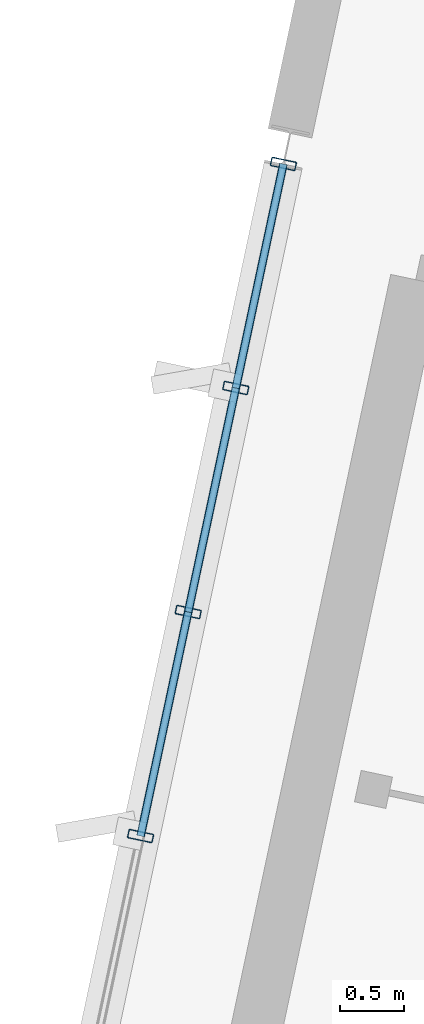
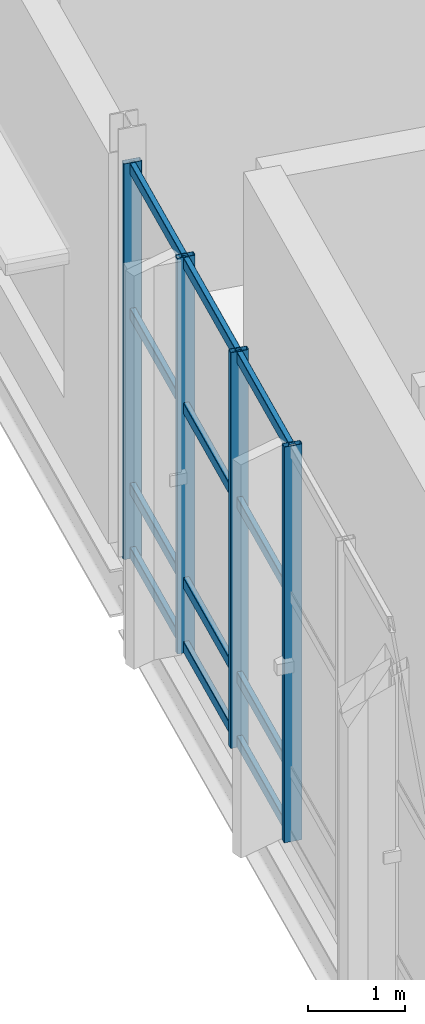
# One storey, part 23 of 176: 16 members, 1 element without a shape of its own.
"""IFC4 building model written with IfcOpenShell, lengths in metres."""

from ifc_helpers import new_model, si_unit, direction, frame, origin, origin_2d, place, context, subcontext, project, spatial, hollow_rectangle, extrude, material, layer, layer_set, material_profile, profile_set, type_object, element, aggregate, save


model = new_model("IFC4")

# Units and contexts
model_context = context("Model", 3, precision=1e-05, world=origin(), true_north=direction((0.0, 1.0)))
body_context = subcontext(model_context, "Body", "Model", "MODEL_VIEW")
ifc_project = project(units=[si_unit("LENGTHUNIT", "METRE"), si_unit("AREAUNIT", "SQUARE_METRE"), si_unit("VOLUMEUNIT", "CUBIC_METRE"), si_unit("PLANEANGLEUNIT", "RADIAN"), si_unit("MASSUNIT", "GRAM", prefix="KILO")], contexts=[model_context])

# Site, building, storey
site_placement = place(None, origin())
site = spatial("IfcSite", under=ifc_project, at=site_placement, CompositionType="ELEMENT")
building_placement = place(site_placement, origin())
building = spatial("IfcBuilding", under=site, at=building_placement, Name="Khorjan Park Terminus", CompositionType="ELEMENT")
storey_placement = place(building_placement, frame((0.0, 0.0, 6.0)))
storey = spatial("IfcBuildingStorey", under=building, at=storey_placement, Name="L01", CompositionType="ELEMENT", Elevation=6.0)

# Curtain wall, members
ifc_material = material(Name="Anodized Bronze Aluminium", Category="aluminium")
ifc_layer = layer(ifc_material, 0.22)
ifc_layer_set = layer_set([ifc_layer], Name="Anodized Bronze Aluminium")
curtain_wall_type = type_object("IfcCurtainWallType", Name="CW-PAV-C", PredefinedType="NOTDEFINED", material=ifc_layer_set)
curtain_wall_placement = place(storey_placement, origin())
curtain_wall = element("IfcCurtainWall", 1, at=curtain_wall_placement, inside=storey, type_object=curtain_wall_type, Name="Unitized curtain wall CW-C (CW-V4-W-L01-B03)", PredefinedType="NOTDEFINED")
ifc_material_profile_1 = material_profile(ifc_material, hollow_rectangle(XDim=0.07, YDim=0.2, WallThickness=0.005, InnerFilletRadius=0.005, OuterFilletRadius=0.01, at=origin_2d()), Name="ALM 70x200x5")
ifc_profile_set_1 = profile_set([ifc_material_profile_1], Name="Anodized Bronze Aluminium")
member_type_1 = type_object("IfcMemberType", Name="ML-ALM-200", PredefinedType="MULLION", material=ifc_profile_set_1)
member_1_placement = place(storey_placement, frame((-3.7399, 52.6328, -0.035), z_axis=(0.0, 0.0, 1.0), x_axis=(-0.207917551169, -0.978146355059, 0.0)))
member_1 = element("IfcMember", 2, at=member_1_placement, type_object=member_type_1, Name="Curtain-wall mullion ML-20 (CW-V4-W-L01-B03-0)", PredefinedType="MULLION", context=body_context, shape_type="SweptSolid", body=[
    extrude(hollow_rectangle(XDim=0.07, YDim=0.2, WallThickness=0.005, InnerFilletRadius=0.005, OuterFilletRadius=0.01, at=origin_2d()), origin(), (0.0, 0.0, 1.0), 5.0),
])
member_2_placement = place(storey_placement, frame((-4.1121, 50.8819, -0.035), z_axis=(0.0, 0.0, 1.0), x_axis=(-0.207917551169, -0.978146355059, 0.0)))
member_2 = element("IfcMember", 3, at=member_2_placement, type_object=member_type_1, Name="Curtain-wall mullion ML-20 (CW-V4-W-L01-B03-1)", PredefinedType="MULLION", context=body_context, shape_type="SweptSolid", body=[
    extrude(hollow_rectangle(XDim=0.07, YDim=0.2, WallThickness=0.005, InnerFilletRadius=0.005, OuterFilletRadius=0.01, at=origin_2d()), origin(), (0.0, 0.0, 1.0), 5.0),
])
member_3_placement = place(storey_placement, frame((-4.4843, 49.1309, -0.035), z_axis=(0.0, 0.0, 1.0), x_axis=(-0.207917551169, -0.978146355059, 0.0)))
member_3 = element("IfcMember", 4, at=member_3_placement, type_object=member_type_1, Name="Curtain-wall mullion ML-20 (CW-V4-W-L01-B03-2)", PredefinedType="MULLION", context=body_context, shape_type="SweptSolid", body=[
    extrude(hollow_rectangle(XDim=0.07, YDim=0.2, WallThickness=0.005, InnerFilletRadius=0.005, OuterFilletRadius=0.01, at=origin_2d()), origin(), (0.0, 0.0, 1.0), 5.0),
])
member_4_placement = place(storey_placement, frame((-4.8564, 47.38, -0.035), z_axis=(0.0, 0.0, 1.0), x_axis=(-0.207917551169, -0.978146355059, 0.0)))
member_4 = element("IfcMember", 5, at=member_4_placement, type_object=member_type_1, Name="Curtain-wall mullion ML-20 (CW-V4-W-L01-B03-3)", PredefinedType="MULLION", context=body_context, shape_type="SweptSolid", body=[
    extrude(hollow_rectangle(XDim=0.07, YDim=0.2, WallThickness=0.005, InnerFilletRadius=0.005, OuterFilletRadius=0.01, at=origin_2d()), origin(), (0.0, 0.0, 1.0), 5.0),
])
ifc_material_profile_2 = material_profile(ifc_material, hollow_rectangle(XDim=0.065, YDim=0.14, WallThickness=0.004, InnerFilletRadius=0.004, OuterFilletRadius=0.008, at=origin_2d()), Name="ALT 65x140x4")
ifc_profile_set_2 = profile_set([ifc_material_profile_2], Name="Anodized Bronze Aluminium")
member_type_2 = type_object("IfcMemberType", Name="TR-ALT-140", PredefinedType="USERDEFINED", material=ifc_profile_set_2)
member_5_placement = place(storey_placement, frame((-3.7399, 52.6328, 0.04), z_axis=(-0.207930246676, -0.97814365638, 0.0), x_axis=(0.97814365638, -0.207930246676, 0.0)))
member_5 = element("IfcMember", 6, at=member_5_placement, type_object=member_type_2, Name="Curtain-wall transom TR-14 (CW-V4-W-L01-B03-0-1)", ObjectType="TRANSOM", PredefinedType="USERDEFINED", context=body_context, shape_type="SweptSolid", body=[
    extrude(hollow_rectangle(XDim=0.065, YDim=0.14, WallThickness=0.004, InnerFilletRadius=0.004, OuterFilletRadius=0.008, at=origin_2d()), origin(), (0.0, 0.0, 1.0), 1.79),
])
member_6_placement = place(storey_placement, frame((-3.7399, 52.6328, 0.85), z_axis=(-0.207930246676, -0.97814365638, 0.0), x_axis=(0.97814365638, -0.207930246676, 0.0)))
member_6 = element("IfcMember", 7, at=member_6_placement, type_object=member_type_2, Name="Curtain-wall transom TR-14 (CW-V4-W-L01-B03-0-2)", ObjectType="TRANSOM", PredefinedType="USERDEFINED", context=body_context, shape_type="SweptSolid", body=[
    extrude(hollow_rectangle(XDim=0.065, YDim=0.14, WallThickness=0.004, InnerFilletRadius=0.004, OuterFilletRadius=0.008, at=origin_2d()), origin(), (0.0, 0.0, 1.0), 1.79),
])
member_7_placement = place(storey_placement, frame((-3.7399, 52.6328, 3.0566), z_axis=(-0.207930246676, -0.97814365638, 0.0), x_axis=(0.97814365638, -0.207930246676, 0.0)))
member_7 = element("IfcMember", 8, at=member_7_placement, type_object=member_type_2, Name="Curtain-wall transom TR-14 (CW-V4-W-L01-B03-0-3)", ObjectType="TRANSOM", PredefinedType="USERDEFINED", context=body_context, shape_type="SweptSolid", body=[
    extrude(hollow_rectangle(XDim=0.065, YDim=0.14, WallThickness=0.004, InnerFilletRadius=0.004, OuterFilletRadius=0.008, at=origin_2d()), origin(), (0.0, 0.0, 1.0), 1.79),
])
member_8_placement = place(storey_placement, frame((-3.7399, 52.6328, 4.89), z_axis=(-0.207930246676, -0.97814365638, 0.0), x_axis=(0.97814365638, -0.207930246676, 0.0)))
member_8 = element("IfcMember", 9, at=member_8_placement, type_object=member_type_2, Name="Curtain-wall transom TR-14 (CW-V4-W-L01-B03-0-4)", ObjectType="TRANSOM", PredefinedType="USERDEFINED", context=body_context, shape_type="SweptSolid", body=[
    extrude(hollow_rectangle(XDim=0.065, YDim=0.14, WallThickness=0.004, InnerFilletRadius=0.004, OuterFilletRadius=0.008, at=origin_2d()), origin(), (0.0, 0.0, 1.0), 1.79),
])
member_9_placement = place(storey_placement, frame((-4.1121, 50.8819, 0.04), z_axis=(-0.207918885104, -0.978146071513, 0.0), x_axis=(0.978146071513, -0.207918885104, 0.0)))
member_9 = element("IfcMember", 10, at=member_9_placement, type_object=member_type_2, Name="Curtain-wall transom TR-14 (CW-V4-W-L01-B03-1-1)", ObjectType="TRANSOM", PredefinedType="USERDEFINED", context=body_context, shape_type="SweptSolid", body=[
    extrude(hollow_rectangle(XDim=0.065, YDim=0.14, WallThickness=0.004, InnerFilletRadius=0.004, OuterFilletRadius=0.008, at=origin_2d()), origin(), (0.0, 0.0, 1.0), 1.7901),
])
member_10_placement = place(storey_placement, frame((-4.1121, 50.8819, 0.85), z_axis=(-0.207918885104, -0.978146071513, 0.0), x_axis=(0.978146071513, -0.207918885104, 0.0)))
member_10 = element("IfcMember", 11, at=member_10_placement, type_object=member_type_2, Name="Curtain-wall transom TR-14 (CW-V4-W-L01-B03-1-2)", ObjectType="TRANSOM", PredefinedType="USERDEFINED", context=body_context, shape_type="SweptSolid", body=[
    extrude(hollow_rectangle(XDim=0.065, YDim=0.14, WallThickness=0.004, InnerFilletRadius=0.004, OuterFilletRadius=0.008, at=origin_2d()), origin(), (0.0, 0.0, 1.0), 1.7901),
])
member_11_placement = place(storey_placement, frame((-4.1121, 50.8819, 3.0566), z_axis=(-0.207918885104, -0.978146071513, 0.0), x_axis=(0.978146071513, -0.207918885104, 0.0)))
member_11 = element("IfcMember", 12, at=member_11_placement, type_object=member_type_2, Name="Curtain-wall transom TR-14 (CW-V4-W-L01-B03-1-3)", ObjectType="TRANSOM", PredefinedType="USERDEFINED", context=body_context, shape_type="SweptSolid", body=[
    extrude(hollow_rectangle(XDim=0.065, YDim=0.14, WallThickness=0.004, InnerFilletRadius=0.004, OuterFilletRadius=0.008, at=origin_2d()), origin(), (0.0, 0.0, 1.0), 1.7901),
])
member_12_placement = place(storey_placement, frame((-4.1121, 50.8819, 4.89), z_axis=(-0.207918885104, -0.978146071513, 0.0), x_axis=(0.978146071513, -0.207918885104, 0.0)))
member_12 = element("IfcMember", 13, at=member_12_placement, type_object=member_type_2, Name="Curtain-wall transom TR-14 (CW-V4-W-L01-B03-1-4)", ObjectType="TRANSOM", PredefinedType="USERDEFINED", context=body_context, shape_type="SweptSolid", body=[
    extrude(hollow_rectangle(XDim=0.065, YDim=0.14, WallThickness=0.004, InnerFilletRadius=0.004, OuterFilletRadius=0.008, at=origin_2d()), origin(), (0.0, 0.0, 1.0), 1.7901),
])
member_13_placement = place(storey_placement, frame((-4.4843, 49.1309, 0.04), z_axis=(-0.207876795883, -0.978155017231, 0.0), x_axis=(0.978155017231, -0.207876795883, 0.0)))
member_13 = element("IfcMember", 14, at=member_13_placement, type_object=member_type_2, Name="Curtain-wall transom TR-14 (CW-V4-W-L01-B03-2-1)", ObjectType="TRANSOM", PredefinedType="USERDEFINED", context=body_context, shape_type="SweptSolid", body=[
    extrude(hollow_rectangle(XDim=0.065, YDim=0.14, WallThickness=0.004, InnerFilletRadius=0.004, OuterFilletRadius=0.008, at=origin_2d()), origin(), (0.0, 0.0, 1.0), 1.79),
])
member_14_placement = place(storey_placement, frame((-4.4843, 49.1309, 0.85), z_axis=(-0.207876795883, -0.978155017231, 0.0), x_axis=(0.978155017231, -0.207876795883, 0.0)))
member_14 = element("IfcMember", 15, at=member_14_placement, type_object=member_type_2, Name="Curtain-wall transom TR-14 (CW-V4-W-L01-B03-2-2)", ObjectType="TRANSOM", PredefinedType="USERDEFINED", context=body_context, shape_type="SweptSolid", body=[
    extrude(hollow_rectangle(XDim=0.065, YDim=0.14, WallThickness=0.004, InnerFilletRadius=0.004, OuterFilletRadius=0.008, at=origin_2d()), origin(), (0.0, 0.0, 1.0), 1.79),
])
member_15_placement = place(storey_placement, frame((-4.4843, 49.1309, 3.0566), z_axis=(-0.207876795883, -0.978155017231, 0.0), x_axis=(0.978155017231, -0.207876795883, 0.0)))
member_15 = element("IfcMember", 16, at=member_15_placement, type_object=member_type_2, Name="Curtain-wall transom TR-14 (CW-V4-W-L01-B03-2-3)", ObjectType="TRANSOM", PredefinedType="USERDEFINED", context=body_context, shape_type="SweptSolid", body=[
    extrude(hollow_rectangle(XDim=0.065, YDim=0.14, WallThickness=0.004, InnerFilletRadius=0.004, OuterFilletRadius=0.008, at=origin_2d()), origin(), (0.0, 0.0, 1.0), 1.79),
])
member_16_placement = place(storey_placement, frame((-4.4843, 49.1309, 4.89), z_axis=(-0.207876795883, -0.978155017231, 0.0), x_axis=(0.978155017231, -0.207876795883, 0.0)))
member_16 = element("IfcMember", 17, at=member_16_placement, type_object=member_type_2, Name="Curtain-wall transom TR-14 (CW-V4-W-L01-B03-2-4)", ObjectType="TRANSOM", PredefinedType="USERDEFINED", context=body_context, shape_type="SweptSolid", body=[
    extrude(hollow_rectangle(XDim=0.065, YDim=0.14, WallThickness=0.004, InnerFilletRadius=0.004, OuterFilletRadius=0.008, at=origin_2d()), origin(), (0.0, 0.0, 1.0), 1.79),
])
aggregate(curtain_wall, [member_1, member_2, member_3, member_4, member_5, member_6, member_7, member_8, member_9, member_10, member_11, member_12, member_13, member_14, member_15, member_16])

save(model, "model.ifc")
